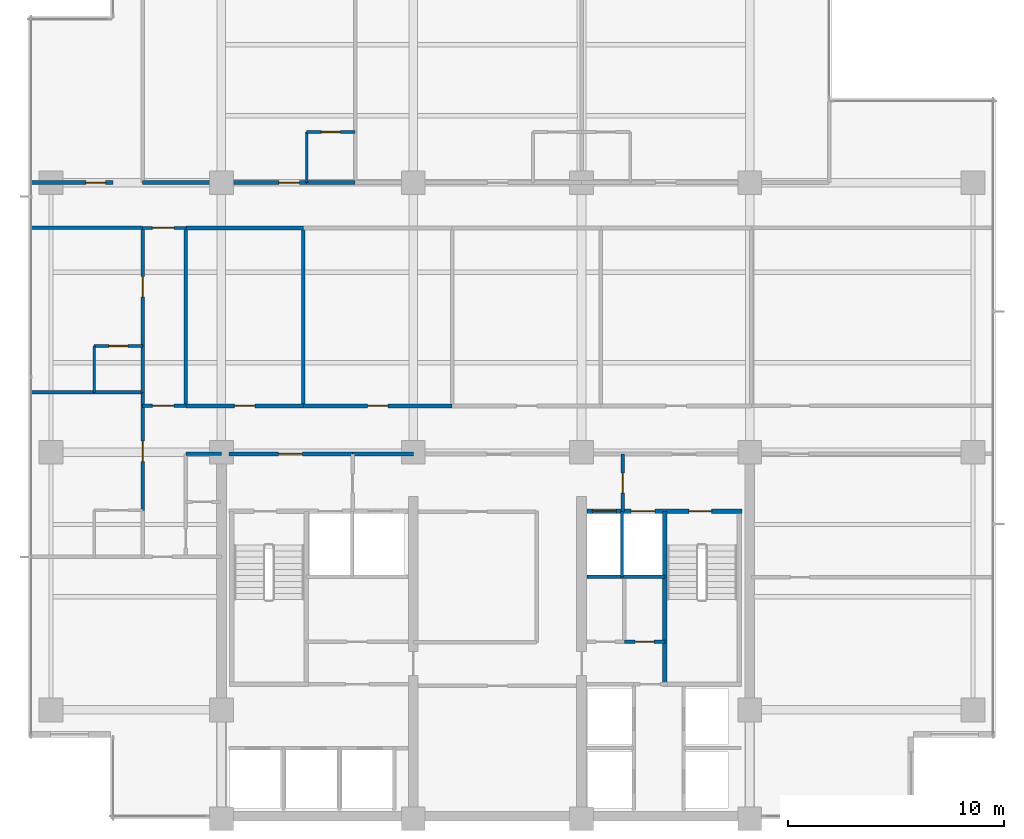
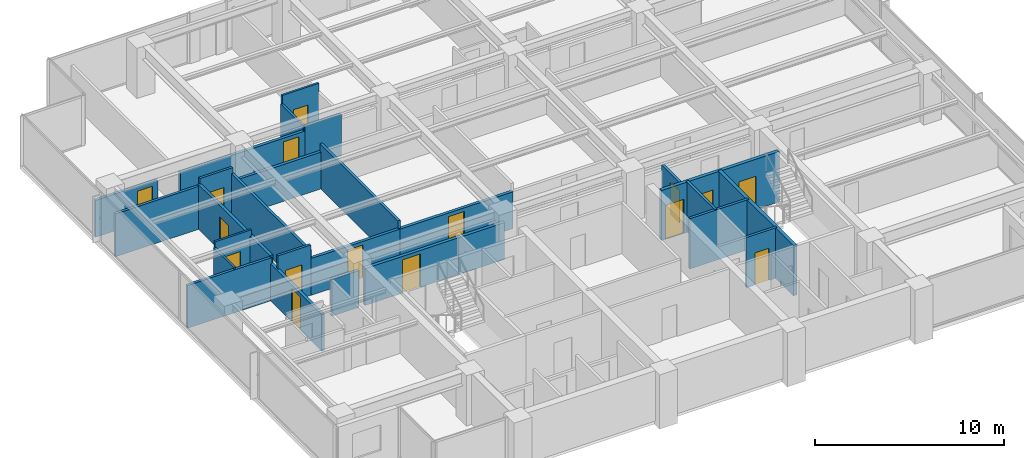
# One storey, part 8 of 14: 28 walls, 16 doors, 16 openings.
"""IFC4 building model written with IfcOpenShell, lengths in metres."""

from ifc_helpers import new_model, si_unit, direction, frame, frame_2d, origin, place, context, subcontext, project, spatial, rectangle, extrude, material, layer, layer_set, type_object, element, fill, save


model = new_model("IFC4")

# Units and contexts
model_context = context("Model", 3, precision=1e-05, world=origin(), true_north=direction((0.0, 1.0)))
body_context = subcontext(model_context, "Body", "Model", "MODEL_VIEW")
ifc_project = project(units=[si_unit("LENGTHUNIT", "METRE"), si_unit("AREAUNIT", "SQUARE_METRE"), si_unit("VOLUMEUNIT", "CUBIC_METRE"), si_unit("PLANEANGLEUNIT", "RADIAN"), si_unit("MASSUNIT", "GRAM", prefix="KILO")], contexts=[model_context])

# Site, building, storey
site_placement = place(None, origin())
site = spatial("IfcSite", under=ifc_project, at=site_placement, CompositionType="ELEMENT")
building_placement = place(site_placement, origin())
building = spatial("IfcBuilding", under=site, at=building_placement, Name="Qalmaran Belvedere Hotel", CompositionType="ELEMENT")
storey_placement = place(building_placement, frame((0.0, 0.0, 166.60009765625)))
storey = spatial("IfcBuildingStorey", under=building, at=storey_placement, Name="L42", CompositionType="ELEMENT", Elevation=166.60009765625)

# Wall, opening, door
ifc_material_1 = material(Name="Moisture-Resistant Gypsum")
ifc_layer_1 = layer(ifc_material_1, 0.1201171875, Name="Moisture-Resistant Gypsum")
ifc_layer_set_1 = layer_set([ifc_layer_1], Name="Moisture-Resistant Gypsum")
wall_type_1 = type_object("IfcWallType", Name="WL-INT-120-BATH", PredefinedType="PARTITIONING", material=ifc_layer_set_1)
wall_1_placement = place(storey_placement, frame((24.25, 35.35009765625, 0.0), z_axis=(0.0, 0.0, 1.0), x_axis=(1.0, 0.0, 0.0)))
wall_1 = element("IfcWall", 1, at=wall_1_placement, inside=storey, type_object=wall_type_1, Name="L42 Partition WL-L42-NBN00", PredefinedType="PARTITIONING", context=body_context, shape_type="SweptSolid", body=[
    extrude(rectangle(XDim=2.25, YDim=0.1201171875, at=frame_2d((1.125, 0.0))), origin(), (0.0, 0.0, 1.0), 3.25),
])
opening_1_placement = place(wall_1_placement, frame((1.56494140625, 0.0, 0.0), z_axis=(0.0, 0.0, 1.0), x_axis=(-1.0, 0.0, 0.0)))
opening_1 = element("IfcOpeningElement", 2, at=opening_1_placement, cuts=wall_1, Name="Opening D-BATH", PredefinedType="OPENING", context=body_context, shape_type="SweptSolid", body=[
    extrude(rectangle(XDim=0.8798828125, YDim=2.080078125, at=frame_2d((0.43994140625, 1.0400390625))), frame((0.0, 0.070068359375, 0.0), z_axis=(0.0, -1.0, 0.0), x_axis=(1.0, 0.0, 0.0)), (0.0, 0.0, 1.0), 0.14013671875),
])
ifc_material_2 = material(Name="Engineered Oak Veneer")
door_type_1 = type_object("IfcDoorType", Name="DR-INT-BATH-880X2080", OperationType="NOTDEFINED", PredefinedType="DOOR", material=ifc_material_2)
door_1_placement = place(opening_1_placement, origin())
door_1 = element("IfcDoor", 3, at=door_1_placement, inside=storey, type_object=door_type_1, Name="L42 Ensuite Bathroom Door N01", OperationType="SINGLE_SWING_RIGHT", OverallHeight=2.080078125, OverallWidth=0.8798828125, PredefinedType="DOOR", context=body_context, shape_type="SweptSolid", body=[
    extrude(rectangle(XDim=0.8798828125, YDim=2.080078125, at=frame_2d((0.43994140625, 1.0400390625))), frame((0.0, 0.02490234375, 0.0), z_axis=(0.0, -1.0, 0.0), x_axis=(1.0, 0.0, 0.0)), (0.0, 0.0, 1.0), 0.050048828125),
])
fill(opening_1, door_1)

# Wall
wall_2_placement = place(storey_placement, frame((24.25, 33.0, 0.0), z_axis=(0.0, 0.0, 1.0), x_axis=(0.0, 1.0, 0.0)))
element("IfcWall", 4, at=wall_2_placement, inside=storey, type_object=wall_type_1, Name="L42 Partition WL-L42-NBS00", PredefinedType="PARTITIONING", context=body_context, shape_type="SweptSolid", body=[
    extrude(rectangle(XDim=2.35009765625, YDim=0.1201171875, at=frame_2d((1.175048828125, 0.0))), origin(), (0.0, 0.0, 1.0), 2.69189453125),
])

# Wall, opening, door
wall_3_placement = place(storey_placement, frame((14.39990234375, 25.425048828125, 0.0), z_axis=(0.0, 0.0, 1.0), x_axis=(1.0, 0.0, 0.0)))
wall_3 = element("IfcWall", 5, at=wall_3_placement, inside=storey, type_object=wall_type_1, Name="L42 Partition WL-L42-WBN01", PredefinedType="PARTITIONING", context=body_context, shape_type="SweptSolid", body=[
    extrude(rectangle(XDim=2.25, YDim=0.1201171875, at=frame_2d((1.125, 0.0))), origin(), (0.0, 0.0, 1.0), 3.25),
])
opening_2_placement = place(wall_3_placement, frame((1.56494140625, 0.0, 0.0), z_axis=(0.0, 0.0, 1.0), x_axis=(-1.0, 0.0, 0.0)))
opening_2 = element("IfcOpeningElement", 6, at=opening_2_placement, cuts=wall_3, Name="Opening D-BATH", PredefinedType="OPENING", context=body_context, shape_type="SweptSolid", body=[
    extrude(rectangle(XDim=0.8798828125, YDim=2.080078125, at=frame_2d((0.43994140625, 1.0400390625))), frame((0.0, 0.070068359375, 0.0), z_axis=(0.0, -1.0, 0.0), x_axis=(1.0, 0.0, 0.0)), (0.0, 0.0, 1.0), 0.14013671875),
])
door_2_placement = place(opening_2_placement, origin())
door_2 = element("IfcDoor", 7, at=door_2_placement, inside=storey, type_object=door_type_1, Name="L42 W Ensuite Door 02", OperationType="SINGLE_SWING_RIGHT", OverallHeight=2.080078125, OverallWidth=0.8798828125, PredefinedType="DOOR", context=body_context, shape_type="SweptSolid", body=[
    extrude(rectangle(XDim=0.8798828125, YDim=2.080078125, at=frame_2d((0.43994140625, 1.0400390625))), frame((0.0, 0.02490234375, 0.0), z_axis=(0.0, -1.0, 0.0), x_axis=(1.0, 0.0, 0.0)), (0.0, 0.0, 1.0), 0.050048828125),
])
fill(opening_2, door_2)

# Walls
wall_4_placement = place(storey_placement, frame((14.39990234375, 23.27490234375, 0.0), z_axis=(0.0, 0.0, 1.0), x_axis=(0.0, 1.0, 0.0)))
element("IfcWall", 8, at=wall_4_placement, inside=storey, type_object=wall_type_1, Name="L42 Partition WL-L42-WBS01", PredefinedType="PARTITIONING", context=body_context, shape_type="SweptSolid", body=[
    extrude(rectangle(XDim=2.150146484375, YDim=0.1201171875, at=frame_2d((1.0751953125, 0.0))), origin(), (0.0, 0.0, 1.0), 2.880859375),
])
ifc_material_3 = material(Name="Gypsum Stud Partition")
ifc_layer_2 = layer(ifc_material_3, 0.14990234375, Name="Gypsum Stud Partition")
ifc_layer_set_2 = layer_set([ifc_layer_2], Name="Gypsum Stud Partition")
wall_type_2 = type_object("IfcWallType", Name="WL-INT-150-EI120", PredefinedType="PARTITIONING", material=ifc_layer_set_2)
wall_5_placement = place(storey_placement, frame((38.8798828125, 14.719970703125, 0.0), z_axis=(0.0, 0.0, 1.0), x_axis=(0.0, 1.0, 0.0)))
element("IfcWall", 9, at=wall_5_placement, inside=storey, type_object=wall_type_2, Name="L42 Partition WL-FF2M-L42", PredefinedType="PARTITIONING", context=body_context, shape_type="SweptSolid", body=[
    extrude(rectangle(XDim=3.0400390625, YDim=0.14990234375, at=frame_2d((1.52001953125, 0.0))), origin(), (0.0, 0.0, 1.0), 3.25),
])

# Wall, opening, door
ifc_layer_3 = layer(ifc_material_3, 0.14990234375, Name="Gypsum Stud Partition")
ifc_layer_set_3 = layer_set([ifc_layer_3], Name="Gypsum Stud Partition")
wall_type_3 = type_object("IfcWallType", Name="WL-INT-150-EI60", PredefinedType="PARTITIONING", material=ifc_layer_set_3)
wall_6_placement = place(storey_placement, frame((16.64990234375, 22.64990234375, 0.0), z_axis=(0.0, 0.0, 1.0), x_axis=(1.0, 0.0, 0.0)))
wall_6 = element("IfcWall", 10, at=wall_6_placement, inside=storey, type_object=wall_type_3, Name="L42 Partition WL-L42-XCW1", PredefinedType="PARTITIONING", context=body_context, shape_type="SweptSolid", body=[
    extrude(rectangle(XDim=2.0, YDim=0.14990234375, at=frame_2d((1.0, 0.0))), origin(), (0.0, 0.0, 1.0), 3.25),
])
opening_3_placement = place(wall_6_placement, frame((0.449951171875, 0.0, 0.0)))
opening_3 = element("IfcOpeningElement", 11, at=opening_3_placement, cuts=wall_6, Name="Opening FD90B", PredefinedType="OPENING", context=body_context, shape_type="SweptSolid", body=[
    extrude(rectangle(XDim=1.0, YDim=2.14990234375, at=frame_2d((0.5, 1.074951171875))), frame((0.0, 0.0849609375, 0.0), z_axis=(0.0, -1.0, 0.0), x_axis=(1.0, 0.0, 0.0)), (0.0, 0.0, 1.0), 0.169921875),
])
ifc_material_4 = material(Name="Steel S355JR", Category="steel")
door_type_2 = type_object("IfcDoorType", Name="DR-FD90B-1000X2150", OperationType="NOTDEFINED", PredefinedType="DOOR", material=ifc_material_4)
door_3_placement = place(opening_3_placement, origin())
door_3 = element("IfcDoor", 12, at=door_3_placement, inside=storey, type_object=door_type_2, Name="L42 West Corridor Smoke Door S", OperationType="SINGLE_SWING_RIGHT", OverallHeight=2.14990234375, OverallWidth=1.0, PredefinedType="DOOR", context=body_context, shape_type="SweptSolid", body=[
    extrude(rectangle(XDim=1.0, YDim=2.14990234375, at=frame_2d((0.5, 1.074951171875))), frame((0.0, 0.02490234375, 0.0), z_axis=(0.0, -1.0, 0.0), x_axis=(1.0, 0.0, 0.0)), (0.0, 0.0, 1.0), 0.050048828125),
])
fill(opening_3, door_3)

wall_7_placement = place(storey_placement, frame((16.64990234375, 30.89990234375, 0.0), z_axis=(0.0, 0.0, 1.0), x_axis=(1.0, 0.0, 0.0)))
wall_7 = element("IfcWall", 13, at=wall_7_placement, inside=storey, type_object=wall_type_3, Name="L42 Partition WL-L42-XCW2", PredefinedType="PARTITIONING", context=body_context, shape_type="SweptSolid", body=[
    extrude(rectangle(XDim=2.0, YDim=0.14990234375, at=frame_2d((1.0, 0.0))), origin(), (0.0, 0.0, 1.0), 3.25),
])
opening_4_placement = place(wall_7_placement, frame((0.449951171875, 0.0, 0.0)))
opening_4 = element("IfcOpeningElement", 14, at=opening_4_placement, cuts=wall_7, Name="Opening FD90B", PredefinedType="OPENING", context=body_context, shape_type="SweptSolid", body=[
    extrude(rectangle(XDim=1.0, YDim=2.14990234375, at=frame_2d((0.5, 1.074951171875))), frame((0.0, 0.0849609375, 0.0), z_axis=(0.0, -1.0, 0.0), x_axis=(1.0, 0.0, 0.0)), (0.0, 0.0, 1.0), 0.169921875),
])
door_4_placement = place(opening_4_placement, origin())
door_4 = element("IfcDoor", 15, at=door_4_placement, inside=storey, type_object=door_type_2, Name="L42 West Corridor Smoke Door N", OperationType="SINGLE_SWING_LEFT", OverallHeight=2.14990234375, OverallWidth=1.0, PredefinedType="DOOR", context=body_context, shape_type="SweptSolid", body=[
    extrude(rectangle(XDim=1.0, YDim=2.14990234375, at=frame_2d((0.5, 1.074951171875))), frame((0.0, 0.02490234375, 0.0), z_axis=(0.0, -1.0, 0.0), x_axis=(1.0, 0.0, 0.0)), (0.0, 0.0, 1.0), 0.050048828125),
])
fill(opening_4, door_4)

ifc_layer_4 = layer(ifc_material_3, 0.159912109375, Name="Gypsum Stud Partition")
ifc_layer_set_4 = layer_set([ifc_layer_4], Name="Gypsum Stud Partition")
wall_type_4 = type_object("IfcWallType", Name="WL-INT-160-EI120", PredefinedType="PARTITIONING", material=ifc_layer_set_4)
wall_8_placement = place(storey_placement, frame((38.919921875, 17.760009765625, 0.0), z_axis=(0.0, 0.0, 1.0), x_axis=(0.0, 1.0, 0.0)))
wall_8 = element("IfcWall", 16, at=wall_8_placement, inside=storey, type_object=wall_type_4, Name="L42 Partition WL-FFSV2-L42", PredefinedType="PARTITIONING", context=body_context, shape_type="SweptSolid", body=[
    extrude(rectangle(XDim=2.659912109375, YDim=0.159912109375, at=frame_2d((1.330078125, 0.0))), origin(), (0.0, 0.0, 1.0), 2.69189453125),
])
opening_5_placement = place(wall_8_placement, frame((1.77001953125, 0.0, 0.0), z_axis=(0.0, 0.0, 1.0), x_axis=(-1.0, 0.0, 0.0)))
opening_5 = element("IfcOpeningElement", 17, at=opening_5_placement, cuts=wall_8, Name="Opening FD60S1", PredefinedType="OPENING", context=body_context, shape_type="SweptSolid", body=[
    extrude(rectangle(XDim=0.919921875, YDim=2.080078125, at=frame_2d((0.4599609375, 1.0400390625))), frame((0.0, 0.08984375, 0.0), z_axis=(0.0, -1.0, 0.0), x_axis=(1.0, 0.0, 0.0)), (0.0, 0.0, 1.0), 0.179931640625),
])
door_type_3 = type_object("IfcDoorType", Name="DR-FD60S-920X2080", OperationType="NOTDEFINED", PredefinedType="DOOR", material=ifc_material_2)
door_5_placement = place(opening_5_placement, origin())
door_5 = element("IfcDoor", 18, at=door_5_placement, inside=storey, type_object=door_type_3, Name="L42 Service Lobby East Door", OperationType="SINGLE_SWING_RIGHT", OverallHeight=2.080078125, OverallWidth=0.919921875, PredefinedType="DOOR", context=body_context, shape_type="SweptSolid", body=[
    extrude(rectangle(XDim=0.919921875, YDim=2.080078125, at=frame_2d((0.4599609375, 1.0400390625))), frame((0.0, 0.02490234375, 0.0), z_axis=(0.0, -1.0, 0.0), x_axis=(1.0, 0.0, 0.0)), (0.0, 0.0, 1.0), 0.050048828125),
])
fill(opening_5, door_5)

# Wall
wall_9_placement = place(storey_placement, frame((37.25, 14.719970703125, 0.0), z_axis=(0.0, 0.0, 1.0), x_axis=(1.0, 0.0, 0.0)))
element("IfcWall", 19, at=wall_9_placement, inside=storey, type_object=wall_type_4, Name="L42 Partition WL-FF2S-L42", PredefinedType="PARTITIONING", context=body_context, shape_type="SweptSolid", body=[
    extrude(rectangle(XDim=3.610107421875, YDim=0.159912109375, at=frame_2d((1.80517578125, 0.0))), origin(), (0.0, 0.0, 1.0), 3.25),
])

# Wall, opening, door
ifc_layer_5 = layer(ifc_material_3, 0.159912109375, Name="Gypsum Stud Partition")
ifc_layer_set_5 = layer_set([ifc_layer_5], Name="Gypsum Stud Partition")
wall_type_5 = type_object("IfcWallType", Name="WL-INT-160-EI60", PredefinedType="PARTITIONING", material=ifc_layer_set_5)
wall_10_placement = place(storey_placement, frame((38.98291015625, 11.719970703125, 0.0), z_axis=(0.0, 0.0, 1.0), x_axis=(1.0, 0.0, 0.0)))
wall_10 = element("IfcWall", 20, at=wall_10_placement, inside=storey, type_object=wall_type_5, Name="L42 Partition WL-L42-KEE2", PredefinedType="PARTITIONING", context=body_context, shape_type="SweptSolid", body=[
    extrude(rectangle(XDim=1.877197265625, YDim=0.159912109375, at=frame_2d((0.9384765625, 0.0))), origin(), (0.0, 0.0, 1.0), 3.25),
])
opening_6_placement = place(wall_10_placement, frame((0.49853515625, 0.0, 0.0)))
opening_6 = element("IfcOpeningElement", 21, at=opening_6_placement, cuts=wall_10, Name="Opening FD60B", PredefinedType="OPENING", context=body_context, shape_type="SweptSolid", body=[
    extrude(rectangle(XDim=0.8798828125, YDim=2.080078125, at=frame_2d((0.43994140625, 1.0400390625))), frame((0.0, 0.08984375, 0.0), z_axis=(0.0, -1.0, 0.0), x_axis=(1.0, 0.0, 0.0)), (0.0, 0.0, 1.0), 0.179931640625),
])
door_type_4 = type_object("IfcDoorType", Name="DR-FD60B-880X2080", OperationType="NOTDEFINED", PredefinedType="DOOR", material=ifc_material_4)
door_6_placement = place(opening_6_placement, origin())
door_6 = element("IfcDoor", 22, at=door_6_placement, inside=storey, type_object=door_type_4, Name="L42 Low Voltage Switch Room Door", OperationType="SINGLE_SWING_RIGHT", OverallHeight=2.080078125, OverallWidth=0.8798828125, PredefinedType="DOOR", context=body_context, shape_type="SweptSolid", body=[
    extrude(rectangle(XDim=0.8798828125, YDim=2.080078125, at=frame_2d((0.43994140625, 1.0400390625))), frame((0.0, 0.02490234375, 0.0), z_axis=(0.0, -1.0, 0.0), x_axis=(1.0, 0.0, 0.0)), (0.0, 0.0, 1.0), 0.050048828125),
])
fill(opening_6, door_6)

# Walls
wall_11_placement = place(storey_placement, frame((18.64990234375, 20.419921875, 0.0), z_axis=(0.0, 0.0, 1.0), x_axis=(1.0, 0.0, 0.0)))
element("IfcWall", 23, at=wall_11_placement, inside=storey, type_object=wall_type_5, Name="L42 Partition WL-L42-WCLN", PredefinedType="PARTITIONING", context=body_context, shape_type="SweptSolid", body=[
    extrude(rectangle(XDim=1.650146484375, YDim=0.159912109375, at=frame_2d((0.8251953125, 0.0))), origin(), (0.0, 0.0, 1.0), 2.3798828125),
])
for number, where, z_axis, x_axis, name in (
    (24, (18.64990234375, 22.64990234375, 0.0), (0.0, 0.0, 1.0), (0.0, 1.0, 0.0), "L42 Partition WL-L42-MIDVL"),
    (25, (24.10009765625, 22.64990234375, 0.0), (0.0, 0.0, 1.0), (0.0, 1.0, 0.0), "L42 Partition WL-L42-MIDVR1"),
):
    element("IfcWall", number, at=place(storey_placement, frame(where, z_axis=z_axis, x_axis=x_axis)), inside=storey, type_object=wall_type_5, Name=name, PredefinedType="PARTITIONING", context=body_context, shape_type="SweptSolid", body=[
        extrude(rectangle(XDim=8.25, YDim=0.159912109375, at=frame_2d((4.125, 0.0))), origin(), (0.0, 0.0, 1.0), 2.880859375),
    ])
for number, where, z_axis, x_axis, name in (
    (26, (11.469970703125, 23.27490234375, 0.0), (0.0, 0.0, 1.0), (1.0, 0.0, 0.0), "L42 Partition WL-L42-WU00"),
    (27, (11.469970703125, 30.89990234375, 0.0), (0.0, 0.0, 1.0), (1.0, 0.0, 0.0), "L42 Partition WL-L42-WU01"),
):
    element("IfcWall", number, at=place(storey_placement, frame(where, z_axis=z_axis, x_axis=x_axis)), inside=storey, type_object=wall_type_5, Name=name, PredefinedType="PARTITIONING", context=body_context, shape_type="SweptSolid", body=[
        extrude(rectangle(XDim=5.179931640625, YDim=0.159912109375, at=frame_2d((2.58984375, 0.0))), origin(), (0.0, 0.0, 1.0), 2.77197265625),
    ])

# Wall, opening, door
ifc_layer_6 = layer(ifc_material_3, 0.179931640625, Name="Gypsum Stud Partition")
ifc_layer_set_6 = layer_set([ifc_layer_6], Name="Gypsum Stud Partition")
wall_type_6 = type_object("IfcWallType", Name="WL-INT-180-EI60", PredefinedType="PARTITIONING", material=ifc_layer_set_6)
wall_12_placement = place(storey_placement, frame((18.64990234375, 22.64990234375, 0.0), z_axis=(0.0, 0.0, 1.0), x_axis=(1.0, 0.0, 0.0)))
wall_12 = element("IfcWall", 28, at=wall_12_placement, inside=storey, type_object=wall_type_6, Name="L42 Partition WL-L42-MIDD1", PredefinedType="PARTITIONING", context=body_context, shape_type="SweptSolid", body=[
    extrude(rectangle(XDim=5.4501953125, YDim=0.179931640625, at=frame_2d((2.72509765625, 0.0))), origin(), (0.0, 0.0, 1.0), 2.3798828125),
])
opening_7_placement = place(wall_12_placement, frame((2.25, 0.0, 0.0)))
opening_7 = element("IfcOpeningElement", 29, at=opening_7_placement, cuts=wall_12, Name="Opening FD60", PredefinedType="OPENING", context=body_context, shape_type="SweptSolid", body=[
    extrude(rectangle(XDim=0.949951171875, YDim=2.14990234375, at=frame_2d((0.47509765625, 1.074951171875))), frame((0.0, 0.10009765625, 0.0), z_axis=(0.0, -1.0, 0.0), x_axis=(1.0, 0.0, 0.0)), (0.0, 0.0, 1.0), 0.199951171875),
])
door_type_5 = type_object("IfcDoorType", Name="DR-FD60-950X2150", OperationType="NOTDEFINED", PredefinedType="DOOR", material=ifc_material_2)
door_7_placement = place(opening_7_placement, origin())
door_7 = element("IfcDoor", 30, at=door_7_placement, inside=storey, type_object=door_type_5, Name="L42 Housekeeping and Linen Room Door", OperationType="SINGLE_SWING_RIGHT", OverallHeight=2.14990234375, OverallWidth=0.949951171875, PredefinedType="DOOR", context=body_context, shape_type="SweptSolid", body=[
    extrude(rectangle(XDim=0.949951171875, YDim=2.14990234375, at=frame_2d((0.47509765625, 1.074951171875))), frame((0.0, 0.02490234375, 0.0), z_axis=(0.0, -1.0, 0.0), x_axis=(1.0, 0.0, 0.0)), (0.0, 0.0, 1.0), 0.050048828125),
])
fill(opening_7, door_7)

# Wall
wall_13_placement = place(storey_placement, frame((18.64990234375, 30.89990234375, 0.0), z_axis=(0.0, 0.0, 1.0), x_axis=(1.0, 0.0, 0.0)))
element("IfcWall", 31, at=wall_13_placement, inside=storey, type_object=wall_type_6, Name="L42 Partition WL-L42-MIDO1", PredefinedType="PARTITIONING", context=body_context, shape_type="SweptSolid", body=[
    extrude(rectangle(XDim=5.4501953125, YDim=0.179931640625, at=frame_2d((2.72509765625, 0.0))), origin(), (0.0, 0.0, 1.0), 2.3798828125),
])

# Wall, opening, door
wall_14_placement = place(storey_placement, frame((24.10009765625, 22.64990234375, 0.0), z_axis=(0.0, 0.0, 1.0), x_axis=(1.0, 0.0, 0.0)))
wall_14 = element("IfcWall", 32, at=wall_14_placement, inside=storey, type_object=wall_type_6, Name="L42 Partition WL-L42-MIDD2", PredefinedType="PARTITIONING", context=body_context, shape_type="SweptSolid", body=[
    extrude(rectangle(XDim=6.89990234375, YDim=0.179931640625, at=frame_2d((3.449951171875, 0.0))), origin(), (0.0, 0.0, 1.0), 2.3798828125),
])
opening_8_placement = place(wall_14_placement, frame((2.97509765625, 0.0, 0.0)))
opening_8 = element("IfcOpeningElement", 33, at=opening_8_placement, cuts=wall_14, Name="Opening FD60", PredefinedType="OPENING", context=body_context, shape_type="SweptSolid", body=[
    extrude(rectangle(XDim=0.949951171875, YDim=2.14990234375, at=frame_2d((0.47509765625, 1.074951171875))), frame((0.0, 0.10009765625, 0.0), z_axis=(0.0, -1.0, 0.0), x_axis=(1.0, 0.0, 0.0)), (0.0, 0.0, 1.0), 0.199951171875),
])
door_8_placement = place(opening_8_placement, origin())
door_8 = element("IfcDoor", 34, at=door_8_placement, inside=storey, type_object=door_type_5, Name="L42 Butler Pantry Door", OperationType="SINGLE_SWING_LEFT", OverallHeight=2.14990234375, OverallWidth=0.949951171875, PredefinedType="DOOR", context=body_context, shape_type="SweptSolid", body=[
    extrude(rectangle(XDim=0.949951171875, YDim=2.14990234375, at=frame_2d((0.47509765625, 1.074951171875))), frame((0.0, 0.02490234375, 0.0), z_axis=(0.0, -1.0, 0.0), x_axis=(1.0, 0.0, 0.0)), (0.0, 0.0, 1.0), 0.050048828125),
])
fill(opening_8, door_8)

# Wall
wall_15_placement = place(storey_placement, frame((24.25, 33.0, 0.0), z_axis=(0.0, 0.0, 1.0), x_axis=(1.0, 0.0, 0.0)))
element("IfcWall", 35, at=wall_15_placement, inside=storey, type_object=wall_type_6, Name="L42 Partition WL-L42-NBC00", PredefinedType="PARTITIONING", context=body_context, shape_type="SweptSolid", body=[
    extrude(rectangle(XDim=2.25, YDim=0.179931640625, at=frame_2d((1.125, 0.0))), origin(), (0.0, 0.0, 1.0), 2.69189453125),
])

# Wall, opening, door
wall_16_placement = place(storey_placement, frame((16.64990234375, 33.0, 0.0), z_axis=(0.0, 0.0, 1.0), x_axis=(1.0, 0.0, 0.0)))
wall_16 = element("IfcWall", 36, at=wall_16_placement, inside=storey, type_object=wall_type_6, Name="L42 Partition WL-L42-NEC00", PredefinedType="PARTITIONING", context=body_context, shape_type="SweptSolid", body=[
    extrude(rectangle(XDim=7.60009765625, YDim=0.179931640625, at=frame_2d((3.800048828125, 0.0))), origin(), (0.0, 0.0, 1.0), 2.3798828125),
])
opening_9_placement = place(wall_16_placement, frame((6.310546875, 0.0, 0.0)))
opening_9 = element("IfcOpeningElement", 37, at=opening_9_placement, cuts=wall_16, Name="Opening FD60", PredefinedType="OPENING", context=body_context, shape_type="SweptSolid", body=[
    extrude(rectangle(XDim=0.949951171875, YDim=2.14990234375, at=frame_2d((0.47509765625, 1.074951171875))), frame((0.0, 0.10009765625, 0.0), z_axis=(0.0, -1.0, 0.0), x_axis=(1.0, 0.0, 0.0)), (0.0, 0.0, 1.0), 0.199951171875),
])
door_9_placement = place(opening_9_placement, origin())
door_9 = element("IfcDoor", 38, at=door_9_placement, inside=storey, type_object=door_type_5, Name="L42 Guest Entrance Door N01", OperationType="SINGLE_SWING_LEFT", OverallHeight=2.14990234375, OverallWidth=0.949951171875, PredefinedType="DOOR", context=body_context, shape_type="SweptSolid", body=[
    extrude(rectangle(XDim=0.949951171875, YDim=2.14990234375, at=frame_2d((0.47509765625, 1.074951171875))), frame((0.0, 0.02490234375, 0.0), z_axis=(0.0, -1.0, 0.0), x_axis=(1.0, 0.0, 0.0)), (0.0, 0.0, 1.0), 0.050048828125),
])
fill(opening_9, door_9)

wall_17_placement = place(storey_placement, frame((16.64990234375, 17.800048828125, 0.0), z_axis=(0.0, 0.0, 1.0), x_axis=(0.0, 1.0, 0.0)))
wall_17 = element("IfcWall", 39, at=wall_17_placement, inside=storey, type_object=wall_type_6, Name="L42 Partition WL-L42-WEC00", PredefinedType="PARTITIONING", context=body_context, shape_type="SweptSolid", body=[
    extrude(rectangle(XDim=5.474853515625, YDim=0.179931640625, at=frame_2d((2.7373046875, 0.0))), origin(), (0.0, 0.0, 1.0), 2.3798828125),
])
opening_10_placement = place(wall_17_placement, frame((2.262451171875, 0.0, 0.0)))
opening_10 = element("IfcOpeningElement", 40, at=opening_10_placement, cuts=wall_17, Name="Opening FD60", PredefinedType="OPENING", context=body_context, shape_type="SweptSolid", body=[
    extrude(rectangle(XDim=0.949951171875, YDim=2.14990234375, at=frame_2d((0.47509765625, 1.074951171875))), frame((0.0, 0.10009765625, 0.0), z_axis=(0.0, -1.0, 0.0), x_axis=(1.0, 0.0, 0.0)), (0.0, 0.0, 1.0), 0.199951171875),
])
door_10_placement = place(opening_10_placement, origin())
door_10 = element("IfcDoor", 41, at=door_10_placement, inside=storey, type_object=door_type_5, Name="L42 W Wing Door 01", OperationType="SINGLE_SWING_LEFT", OverallHeight=2.14990234375, OverallWidth=0.949951171875, PredefinedType="DOOR", context=body_context, shape_type="SweptSolid", body=[
    extrude(rectangle(XDim=0.949951171875, YDim=2.14990234375, at=frame_2d((0.47509765625, 1.074951171875))), frame((0.0, 0.02490234375, 0.0), z_axis=(0.0, -1.0, 0.0), x_axis=(1.0, 0.0, 0.0)), (0.0, 0.0, 1.0), 0.050048828125),
])
fill(opening_10, door_10)

# Wall
wall_18_placement = place(storey_placement, frame((16.64990234375, 23.27490234375, 0.0), z_axis=(0.0, 0.0, 1.0), x_axis=(0.0, 1.0, 0.0)))
element("IfcWall", 42, at=wall_18_placement, inside=storey, type_object=wall_type_6, Name="L42 Partition WL-L42-WBC01", PredefinedType="PARTITIONING", context=body_context, shape_type="SweptSolid", body=[
    extrude(rectangle(XDim=2.150146484375, YDim=0.179931640625, at=frame_2d((1.0751953125, 0.0))), origin(), (0.0, 0.0, 1.0), 2.880859375),
])

# Wall, opening, door
wall_19_placement = place(storey_placement, frame((16.64990234375, 25.425048828125, 0.0), z_axis=(0.0, 0.0, 1.0), x_axis=(0.0, 1.0, 0.0)))
wall_19 = element("IfcWall", 43, at=wall_19_placement, inside=storey, type_object=wall_type_6, Name="L42 Partition WL-L42-WEC01", PredefinedType="PARTITIONING", context=body_context, shape_type="SweptSolid", body=[
    extrude(rectangle(XDim=5.474853515625, YDim=0.179931640625, at=frame_2d((2.7373046875, 0.0))), origin(), (0.0, 0.0, 1.0), 2.880859375),
])
opening_11_placement = place(wall_19_placement, frame((2.262451171875, 0.0, 0.0)))
opening_11 = element("IfcOpeningElement", 44, at=opening_11_placement, cuts=wall_19, Name="Opening FD60", PredefinedType="OPENING", context=body_context, shape_type="SweptSolid", body=[
    extrude(rectangle(XDim=0.949951171875, YDim=2.14990234375, at=frame_2d((0.47509765625, 1.074951171875))), frame((0.0, 0.10009765625, 0.0), z_axis=(0.0, -1.0, 0.0), x_axis=(1.0, 0.0, 0.0)), (0.0, 0.0, 1.0), 0.199951171875),
])
door_11_placement = place(opening_11_placement, origin())
door_11 = element("IfcDoor", 45, at=door_11_placement, inside=storey, type_object=door_type_5, Name="L42 W Wing Door 02", OperationType="SINGLE_SWING_LEFT", OverallHeight=2.14990234375, OverallWidth=0.949951171875, PredefinedType="DOOR", context=body_context, shape_type="SweptSolid", body=[
    extrude(rectangle(XDim=0.949951171875, YDim=2.14990234375, at=frame_2d((0.47509765625, 1.074951171875))), frame((0.0, 0.02490234375, 0.0), z_axis=(0.0, -1.0, 0.0), x_axis=(1.0, 0.0, 0.0)), (0.0, 0.0, 1.0), 0.050048828125),
])
fill(opening_11, door_11)

wall_20_placement = place(storey_placement, frame((11.469970703125, 33.0, 0.0), z_axis=(0.0, 0.0, 1.0), x_axis=(1.0, 0.0, 0.0)))
wall_20 = element("IfcWall", 46, at=wall_20_placement, inside=storey, type_object=wall_type_6, Name="L42 Partition WL-L42-NWSD", PredefinedType="PARTITIONING", context=body_context, shape_type="SweptSolid", body=[
    extrude(rectangle(XDim=3.800048828125, YDim=0.179931640625, at=frame_2d((1.89990234375, 0.0))), origin(), (0.0, 0.0, 1.0), 2.3798828125),
])
opening_12_placement = place(wall_20_placement, frame((2.543701171875, 0.0, 0.0)))
opening_12 = element("IfcOpeningElement", 47, at=opening_12_placement, cuts=wall_20, Name="Opening FD60S1", PredefinedType="OPENING", context=body_context, shape_type="SweptSolid", body=[
    extrude(rectangle(XDim=0.919921875, YDim=2.080078125, at=frame_2d((0.4599609375, 1.0400390625))), frame((0.0, 0.10009765625, 0.0), z_axis=(0.0, -1.0, 0.0), x_axis=(1.0, 0.0, 0.0)), (0.0, 0.0, 1.0), 0.199951171875),
])
door_12_placement = place(opening_12_placement, origin())
door_12 = element("IfcDoor", 48, at=door_12_placement, inside=storey, type_object=door_type_3, Name="L42 NW Belvedere Study Door", OperationType="SINGLE_SWING_RIGHT", OverallHeight=2.080078125, OverallWidth=0.919921875, PredefinedType="DOOR", context=body_context, shape_type="SweptSolid", body=[
    extrude(rectangle(XDim=0.919921875, YDim=2.080078125, at=frame_2d((0.4599609375, 1.0400390625))), frame((0.0, 0.02490234375, 0.0), z_axis=(0.0, -1.0, 0.0), x_axis=(1.0, 0.0, 0.0)), (0.0, 0.0, 1.0), 0.050048828125),
])
fill(opening_12, door_12)

ifc_material_5 = material(Name="Concrete C30/37 Blockwork", Category="masonry")
ifc_layer_7 = layer(ifc_material_5, 0.199951171875, Name="Concrete C30/37 Blockwork")
ifc_layer_set_7 = layer_set([ifc_layer_7], Name="Concrete C30/37 Blockwork")
wall_type_7 = type_object("IfcWallType", Name="WL-INT-200-EI120", PredefinedType="PARTITIONING", material=ifc_layer_set_7)
wall_21_placement = place(storey_placement, frame((20.64990234375, 20.419921875, 0.0), z_axis=(0.0, 0.0, 1.0), x_axis=(1.0, 0.0, 0.0)))
wall_21 = element("IfcWall", 49, at=wall_21_placement, inside=storey, type_object=wall_type_7, Name="L42 Partition WL-CN1A-L42", PredefinedType="PARTITIONING", context=body_context, shape_type="SweptSolid", body=[
    extrude(rectangle(XDim=5.72998046875, YDim=0.199951171875, at=frame_2d((2.864990234375, 0.0))), origin(), (0.0, 0.0, 1.0), 2.3798828125),
])
opening_13_placement = place(wall_21_placement, frame((2.300048828125, 0.0, 0.0)))
opening_13 = element("IfcOpeningElement", 50, at=opening_13_placement, cuts=wall_21, Name="Opening FD90", PredefinedType="OPENING", context=body_context, shape_type="SweptSolid", body=[
    extrude(rectangle(XDim=1.10009765625, YDim=2.14990234375, at=frame_2d((0.550048828125, 1.074951171875))), frame((0.0, 0.10986328125, 0.0), z_axis=(0.0, -1.0, 0.0), x_axis=(1.0, 0.0, 0.0)), (0.0, 0.0, 1.0), 0.219970703125),
])
door_type_6 = type_object("IfcDoorType", Name="DR-FD90-1100X2150", OperationType="NOTDEFINED", PredefinedType="DOOR", material=ifc_material_4)
door_13_placement = place(opening_13_placement, origin())
door_13 = element("IfcDoor", 51, at=door_13_placement, inside=storey, type_object=door_type_6, Name="L42 FF1 Lobby Corridor Door", OperationType="SINGLE_SWING_LEFT", OverallHeight=2.14990234375, OverallWidth=1.10009765625, PredefinedType="DOOR", context=body_context, shape_type="SweptSolid", body=[
    extrude(rectangle(XDim=1.10009765625, YDim=2.14990234375, at=frame_2d((0.550048828125, 1.074951171875))), frame((0.0, 0.02490234375, 0.0), z_axis=(0.0, -1.0, 0.0), x_axis=(1.0, 0.0, 0.0)), (0.0, 0.0, 1.0), 0.050048828125),
])
fill(opening_13, door_13)

# Walls
wall_22_placement = place(storey_placement, frame((26.3798828125, 20.419921875, 0.0), z_axis=(0.0, 0.0, 1.0), x_axis=(1.0, 0.0, 0.0)))
element("IfcWall", 52, at=wall_22_placement, inside=storey, type_object=wall_type_7, Name="L42 Partition WL-CN1B-L42", PredefinedType="PARTITIONING", context=body_context, shape_type="SweptSolid", body=[
    extrude(rectangle(XDim=2.820068359375, YDim=0.199951171875, at=frame_2d((1.41015625, 0.0))), origin(), (0.0, 0.0, 1.0), 2.3798828125),
])
ifc_material_6 = material(Name="Concrete C50/60", Category="concrete")
ifc_layer_8 = layer(ifc_material_6, 0.2099609375, Name="Concrete C50/60")
ifc_layer_set_8 = layer_set([ifc_layer_8], Name="Concrete C50/60")
wall_type_8 = type_object("IfcWallType", Name="WL-STAIR-210-C50", PredefinedType="SHEAR", material=ifc_layer_set_8)
wall_23_placement = place(storey_placement, frame((40.85498046875, 9.7451171875, 0.0), z_axis=(0.0, 0.0, 1.0), x_axis=(0.0, 1.0, 0.0)))
element("IfcWall", 53, at=wall_23_placement, inside=storey, type_object=wall_type_8, Name="L42 Stair ST-2 West Bearing Wall", PredefinedType="SHEAR", context=body_context, shape_type="SweptSolid", body=[
    extrude(rectangle(XDim=8.009765625, YDim=0.2099609375, at=frame_2d((4.0048828125, 0.0))), origin(), (0.0, 0.0, 1.0), 3.25),
])

# Wall, openings, doors
wall_24_placement = place(storey_placement, frame((37.25, 17.7548828125, 0.0), z_axis=(0.0, 0.0, 1.0), x_axis=(1.0, 0.0, 0.0)))
wall_24 = element("IfcWall", 54, at=wall_24_placement, inside=storey, type_object=wall_type_8, Name="L42 East Lobby and Stair ST-2 North Bearing Wall", PredefinedType="SHEAR", context=body_context, shape_type="SweptSolid", body=[
    extrude(rectangle(XDim=7.199951171875, YDim=0.2099609375, at=frame_2d((3.60009765625, 0.0))), origin(), (0.0, 0.0, 1.0), 3.25),
])
opening_14_placement = place(wall_24_placement, frame((0.25, 0.0, 0.0)))
opening_14 = element("IfcOpeningElement", 55, at=opening_14_placement, cuts=wall_24, Name="Opening LD-SV", PredefinedType="OPENING", context=body_context, shape_type="SweptSolid", body=[
    extrude(rectangle(XDim=1.1201171875, YDim=2.199951171875, at=frame_2d((0.56005859375, 1.10009765625))), frame((0.0, 0.114990234375, 0.0), z_axis=(0.0, -1.0, 0.0), x_axis=(1.0, 0.0, 0.0)), (0.0, 0.0, 1.0), 0.22998046875),
])
opening_15_placement = place(wall_24_placement, frame((2.050048828125, 0.0, 0.0)))
opening_15 = element("IfcOpeningElement", 56, at=opening_15_placement, cuts=wall_24, Name="Opening LD-FF", PredefinedType="OPENING", context=body_context, shape_type="SweptSolid", body=[
    extrude(rectangle(XDim=1.10009765625, YDim=2.179931640625, at=frame_2d((0.550048828125, 1.08984375))), frame((0.0, 0.114990234375, 0.0), z_axis=(0.0, -1.0, 0.0), x_axis=(1.0, 0.0, 0.0)), (0.0, 0.0, 1.0), 0.22998046875),
])
opening_16_placement = place(wall_24_placement, frame((5.780029296875, 0.0, 0.0), z_axis=(0.0, 0.0, 1.0), x_axis=(-1.0, 0.0, 0.0)))
opening_16 = element("IfcOpeningElement", 57, at=opening_16_placement, cuts=wall_24, Name="Opening FD90S2", PredefinedType="OPENING", context=body_context, shape_type="SweptSolid", body=[
    extrude(rectangle(XDim=1.050048828125, YDim=2.14990234375, at=frame_2d((0.52490234375, 1.074951171875))), frame((0.0, 0.114990234375, 0.0), z_axis=(0.0, -1.0, 0.0), x_axis=(1.0, 0.0, 0.0)), (0.0, 0.0, 1.0), 0.22998046875),
])
door_type_7 = type_object("IfcDoorType", Name="DR-FD90S-1050X2150", OperationType="NOTDEFINED", PredefinedType="DOOR", material=ifc_material_4)
door_14_placement = place(opening_16_placement, origin())
door_14 = element("IfcDoor", 58, at=door_14_placement, inside=storey, type_object=door_type_7, Name="L42 Stair ST-2 Door", OperationType="SINGLE_SWING_RIGHT", OverallHeight=2.14990234375, OverallWidth=1.050048828125, PredefinedType="DOOR", context=body_context, shape_type="SweptSolid", body=[
    extrude(rectangle(XDim=1.050048828125, YDim=2.14990234375, at=frame_2d((0.52490234375, 1.074951171875))), frame((0.0, 0.02490234375, 0.0), z_axis=(0.0, -1.0, 0.0), x_axis=(1.0, 0.0, 0.0)), (0.0, 0.0, 1.0), 0.050048828125),
])
fill(opening_16, door_14)
ifc_material_7 = material(Name="Stainless Steel 1.4401", Category="steel")
door_type_8 = type_object("IfcDoorType", Name="DR-LIFT-FF-1100X2180", OperationType="DOUBLE_DOOR_SLIDING", PredefinedType="DOOR", material=ifc_material_7)
door_15_placement = place(opening_15_placement, origin())
door_15 = element("IfcDoor", 59, at=door_15_placement, inside=storey, type_object=door_type_8, Name="L42 FF2 Lift Landing Door", OperationType="DOUBLE_DOOR_SLIDING", OverallHeight=2.179931640625, OverallWidth=1.10009765625, PredefinedType="DOOR", context=body_context, shape_type="SweptSolid", body=[
    extrude(rectangle(XDim=1.10009765625, YDim=2.179931640625, at=frame_2d((0.550048828125, 1.08984375))), frame((0.0, 0.02490234375, 0.0), z_axis=(0.0, -1.0, 0.0), x_axis=(1.0, 0.0, 0.0)), (0.0, 0.0, 1.0), 0.050048828125),
])
fill(opening_15, door_15)
door_type_9 = type_object("IfcDoorType", Name="DR-LIFT-SV-1120X2200", OperationType="DOUBLE_DOOR_SLIDING", PredefinedType="DOOR", material=ifc_material_7)
door_16_placement = place(opening_14_placement, origin())
door_16 = element("IfcDoor", 60, at=door_16_placement, inside=storey, type_object=door_type_9, Name="L42 SV2 Lift Landing Door", OperationType="DOUBLE_DOOR_SLIDING", OverallHeight=2.199951171875, OverallWidth=1.1201171875, PredefinedType="DOOR", context=body_context, shape_type="SweptSolid", body=[
    extrude(rectangle(XDim=1.1201171875, YDim=2.199951171875, at=frame_2d((0.56005859375, 1.10009765625))), frame((0.0, 0.02490234375, 0.0), z_axis=(0.0, -1.0, 0.0), x_axis=(1.0, 0.0, 0.0)), (0.0, 0.0, 1.0), 0.050048828125),
])
fill(opening_14, door_16)

save(model, "model.ifc")
